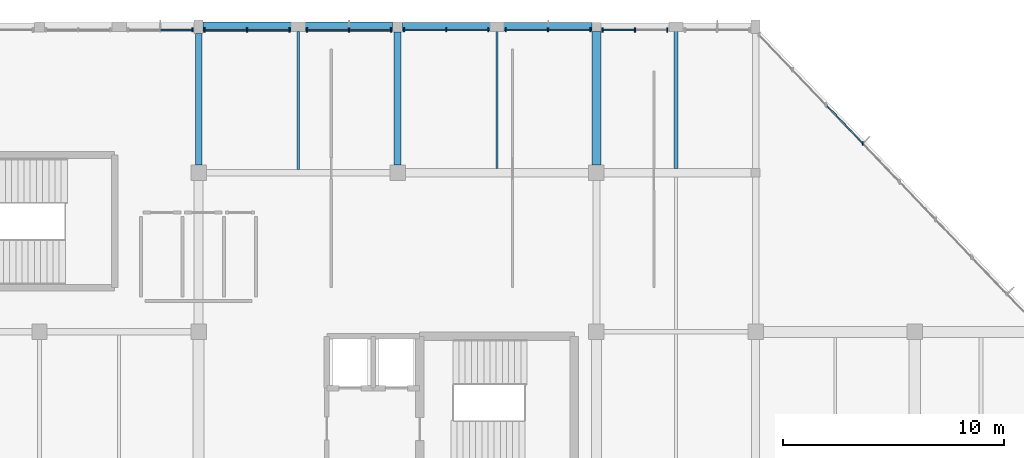
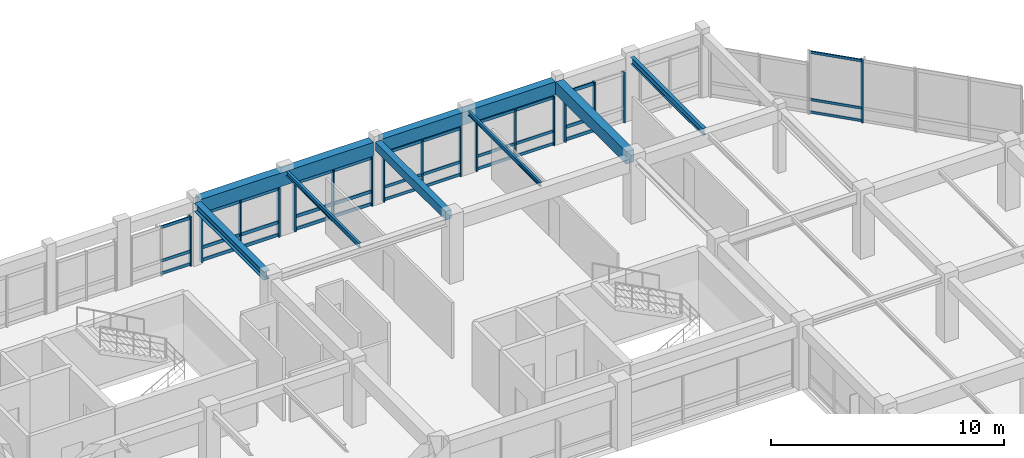
# One storey, part 30 of 52: 50 members, 8 beams, 7 elements without a shape of their own.
"""IFC4 building model written with IfcOpenShell, lengths in metres."""

from ifc_helpers import new_model, si_unit, direction, frame, origin, origin_2d, place, context, subcontext, project, spatial, rectangle, i_section, extrude, material, material_profile, profile_set, type_object, element, aggregate, save


model = new_model("IFC4")

# Units and contexts
model_context = context("Model", 3, precision=1e-05, world=origin(), true_north=direction((0.0, 1.0)))
body_context = subcontext(model_context, "Body", "Model", "MODEL_VIEW")
ifc_project = project(units=[si_unit("LENGTHUNIT", "METRE"), si_unit("AREAUNIT", "SQUARE_METRE"), si_unit("VOLUMEUNIT", "CUBIC_METRE"), si_unit("PLANEANGLEUNIT", "RADIAN"), si_unit("MASSUNIT", "GRAM", prefix="KILO")], contexts=[model_context])

# Site, building, storey
site_placement = place(None, origin())
site = spatial("IfcSite", under=ifc_project, at=site_placement, CompositionType="ELEMENT")
building_placement = place(site_placement, origin())
building = spatial("IfcBuilding", under=site, at=building_placement, Name="Clarverna Civic Hall", CompositionType="ELEMENT")
storey_placement = place(building_placement, frame((0.0, 0.0, 16.800048828125)))
storey = spatial("IfcBuildingStorey", under=building, at=storey_placement, Name="L04", CompositionType="ELEMENT", Elevation=16.800048828125)

# Beams
ifc_material_1 = material(Name="Concrete C35/45", Category="concrete")
ifc_material_profile_1 = material_profile(ifc_material_1, rectangle(XDim=0.300048828125, YDim=0.449951171875, at=origin_2d()), Name="RC 300x450")
ifc_profile_set_1 = profile_set([ifc_material_profile_1], Name="Concrete C35/45")
beam_type_1 = type_object("IfcBeamType", Name="B-RC18", PredefinedType="BEAM", material=ifc_profile_set_1)
beam_1_placement = place(storey_placement, frame((138.60009765625, 109.75, 3.094970703125), z_axis=(0.0, 1.0, 0.0), x_axis=(-1.0, 0.0, 0.0)))
element("IfcBeam", 1, at=beam_1_placement, inside=storey, type_object=beam_type_1, Name="B-RC18-043", PredefinedType="BEAM", context=body_context, shape_type="SweptSolid", body=[
    extrude(rectangle(XDim=0.300048828125, YDim=0.449951171875, at=origin_2d()), origin(), (0.0, 0.0, 1.0), 6.02490234375),
])
ifc_material_profile_2 = material_profile(ifc_material_1, rectangle(XDim=0.39990234375, YDim=0.64990234375, at=origin_2d()), Name="RC 400x650")
ifc_profile_set_2 = profile_set([ifc_material_profile_2], Name="Concrete C35/45")
beam_type_2 = type_object("IfcBeamType", Name="B-RC6", PredefinedType="BEAM", material=ifc_profile_set_2)
beam_2_placement = place(storey_placement, frame((147.60009765625, 109.75, 2.994873046875), z_axis=(0.0, 1.0, 0.0), x_axis=(-1.0, 0.0, 0.0)))
element("IfcBeam", 2, at=beam_2_placement, inside=storey, type_object=beam_type_2, Name="B-RC6-050", PredefinedType="BEAM", context=body_context, shape_type="SweptSolid", body=[
    extrude(rectangle(XDim=0.39990234375, YDim=0.64990234375, at=origin_2d()), origin(), (0.0, 0.0, 1.0), 6.050048828125),
])
ifc_material_profile_3 = material_profile(ifc_material_1, rectangle(XDim=0.419921875, YDim=0.719970703125, at=origin_2d()), Name="RC 420x720")
ifc_profile_set_3 = profile_set([ifc_material_profile_3], Name="Concrete C35/45")
beam_type_3 = type_object("IfcBeamType", Name="B-SP1", PredefinedType="SPANDREL", material=ifc_profile_set_3)
beam_3_placement = place(storey_placement, frame((129.800048828125, 116.0, 2.9599609375), z_axis=(1.0, 0.0, 0.0), x_axis=(0.0, 1.0, 0.0)))
element("IfcBeam", 3, at=beam_3_placement, inside=storey, type_object=beam_type_3, Name="B-SP1-134", PredefinedType="SPANDREL", context=body_context, shape_type="SweptSolid", body=[
    extrude(rectangle(XDim=0.419921875, YDim=0.719970703125, at=origin_2d()), origin(), (0.0, 0.0, 1.0), 8.574951171875),
])
ifc_material_profile_4 = material_profile(ifc_material_1, rectangle(XDim=0.3798828125, YDim=0.679931640625, at=origin_2d()), Name="RC 380x680")
ifc_profile_set_4 = profile_set([ifc_material_profile_4], Name="Concrete C35/45")
beam_type_4 = type_object("IfcBeamType", Name="B-SP2", PredefinedType="SPANDREL", material=ifc_profile_set_4)
beam_4_placement = place(storey_placement, frame((138.824951171875, 116.0, 2.97998046875), z_axis=(1.0, 0.0, 0.0), x_axis=(0.0, 1.0, 0.0)))
element("IfcBeam", 4, at=beam_4_placement, inside=storey, type_object=beam_type_4, Name="B-SP2-141", PredefinedType="SPANDREL", context=body_context, shape_type="SweptSolid", body=[
    extrude(rectangle(XDim=0.3798828125, YDim=0.679931640625, at=origin_2d()), origin(), (0.0, 0.0, 1.0), 8.574951171875),
])
ifc_material_2 = material(Name="Steel S355", Category="steel")
ifc_material_profile_5 = material_profile(ifc_material_2, i_section(OverallWidth=0.300048828125, OverallDepth=0.449951171875, WebThickness=0.013916015625, FlangeThickness=0.02587890625, FilletRadius=0.027099609375, at=origin_2d()), Name="HEB 450")
ifc_profile_set_5 = profile_set([ifc_material_profile_5], Name="Steel S355")
beam_type_5 = type_object("IfcBeamType", Name="B-ST3", PredefinedType="BEAM", material=ifc_profile_set_5)
beam_5_placement = place(storey_placement, frame((129.60009765625, 109.75, 3.094970703125), z_axis=(0.0, 1.0, 0.0), x_axis=(-1.0, 0.0, 0.0)))
element("IfcBeam", 5, at=beam_5_placement, inside=storey, type_object=beam_type_5, Name="B-ST3-022", PredefinedType="BEAM", context=body_context, shape_type="SweptSolid", body=[
    extrude(i_section(OverallWidth=0.300048828125, OverallDepth=0.449951171875, WebThickness=0.013916015625, FlangeThickness=0.02587890625, FilletRadius=0.027099609375, at=origin_2d()), origin(), (0.0, 0.0, 1.0), 5.949951171875),
])

# Curtain wall, member
ifc_material_3 = material(Name="Anodised Bronze Architectural Aluminium", Category="aluminium")
curtain_wall_type = type_object("IfcCurtainWallType", Name="CW-01", PredefinedType="USERDEFINED", material=ifc_material_3)
curtain_wall_1_placement = place(storey_placement, origin())
curtain_wall_1 = element("IfcCurtainWall", 6, at=curtain_wall_1_placement, inside=storey, type_object=curtain_wall_type, Name="CW-01-080", ObjectType="UNITISED CURTAIN WALL", PredefinedType="USERDEFINED")
ifc_material_profile_6 = material_profile(ifc_material_3, rectangle(XDim=0.06005859375, YDim=0.179931640625, at=origin_2d()), Name="BRONZE 60x180")
ifc_profile_set_6 = profile_set([ifc_material_profile_6], Name="Anodised Bronze Architectural Aluminium")
member_type_1 = type_object("IfcMemberType", Name="CWM-01", PredefinedType="MULLION", material=ifc_profile_set_6)
member_1_placement = place(storey_placement, frame((129.326904296875, 115.860107421875, 0.0), z_axis=(0.0, 0.0, 1.0), x_axis=(1.0, 0.0, 0.0)))
member_1 = element("IfcMember", 7, at=member_1_placement, type_object=member_type_1, Name="CWM-01-157", PredefinedType="MULLION", context=body_context, shape_type="SweptSolid", body=[
    extrude(rectangle(XDim=0.06005859375, YDim=0.179931640625, at=origin_2d()), origin(), (0.0, 0.0, 1.0), 2.599853515625),
])

# Curtain wall, members
curtain_wall_2_placement = place(storey_placement, origin())
curtain_wall_2 = element("IfcCurtainWall", 8, at=curtain_wall_2_placement, inside=storey, type_object=curtain_wall_type, Name="CW-01-083", ObjectType="UNITISED CURTAIN WALL", PredefinedType="USERDEFINED")
member_2_placement = place(storey_placement, frame((138.89794921875, 115.860107421875, 0.0), z_axis=(0.0, 0.0, 1.0), x_axis=(1.0, 0.0, 0.0)))
member_2 = element("IfcMember", 9, at=member_2_placement, type_object=member_type_1, Name="CWM-01-158", PredefinedType="MULLION", context=body_context, shape_type="SweptSolid", body=[
    extrude(rectangle(XDim=0.06005859375, YDim=0.179931640625, at=origin_2d()), origin(), (0.0, 0.0, 1.0), 2.599853515625),
])
member_3_placement = place(storey_placement, frame((140.800048828125, 115.860107421875, 0.0), z_axis=(0.0, 0.0, 1.0), x_axis=(1.0, 0.0, 0.0)))
member_3 = element("IfcMember", 10, at=member_3_placement, type_object=member_type_1, Name="CWM-01-159", PredefinedType="MULLION", context=body_context, shape_type="SweptSolid", body=[
    extrude(rectangle(XDim=0.06005859375, YDim=0.179931640625, at=origin_2d()), origin(), (0.0, 0.0, 1.0), 2.599853515625),
])
member_4_placement = place(storey_placement, frame((142.701904296875, 115.860107421875, 0.0), z_axis=(0.0, 0.0, 1.0), x_axis=(1.0, 0.0, 0.0)))
member_4 = element("IfcMember", 11, at=member_4_placement, type_object=member_type_1, Name="CWM-01-160", PredefinedType="MULLION", context=body_context, shape_type="SweptSolid", body=[
    extrude(rectangle(XDim=0.06005859375, YDim=0.179931640625, at=origin_2d()), origin(), (0.0, 0.0, 1.0), 2.599853515625),
])

curtain_wall_3_placement = place(storey_placement, origin())
curtain_wall_3 = element("IfcCurtainWall", 12, at=curtain_wall_3_placement, inside=storey, type_object=curtain_wall_type, Name="CW-01-084", ObjectType="UNITISED CURTAIN WALL", PredefinedType="USERDEFINED")
member_5_placement = place(storey_placement, frame((143.498046875, 115.860107421875, 0.0), z_axis=(0.0, 0.0, 1.0), x_axis=(1.0, 0.0, 0.0)))
member_5 = element("IfcMember", 13, at=member_5_placement, type_object=member_type_1, Name="CWM-01-161", PredefinedType="MULLION", context=body_context, shape_type="SweptSolid", body=[
    extrude(rectangle(XDim=0.06005859375, YDim=0.179931640625, at=origin_2d()), origin(), (0.0, 0.0, 1.0), 2.599853515625),
])
member_6_placement = place(storey_placement, frame((145.41259765625, 115.860107421875, 0.0), z_axis=(0.0, 0.0, 1.0), x_axis=(1.0, 0.0, 0.0)))
member_6 = element("IfcMember", 14, at=member_6_placement, type_object=member_type_1, Name="CWM-01-162", PredefinedType="MULLION", context=body_context, shape_type="SweptSolid", body=[
    extrude(rectangle(XDim=0.06005859375, YDim=0.179931640625, at=origin_2d()), origin(), (0.0, 0.0, 1.0), 2.599853515625),
])
member_7_placement = place(storey_placement, frame((147.326904296875, 115.860107421875, 0.0), z_axis=(0.0, 0.0, 1.0), x_axis=(1.0, 0.0, 0.0)))
member_7 = element("IfcMember", 15, at=member_7_placement, type_object=member_type_1, Name="CWM-01-163", PredefinedType="MULLION", context=body_context, shape_type="SweptSolid", body=[
    extrude(rectangle(XDim=0.06005859375, YDim=0.179931640625, at=origin_2d()), origin(), (0.0, 0.0, 1.0), 2.599853515625),
])

# Curtain wall, member
curtain_wall_4_placement = place(storey_placement, origin())
curtain_wall_4 = element("IfcCurtainWall", 16, at=curtain_wall_4_placement, inside=storey, type_object=curtain_wall_type, Name="CW-01-088", ObjectType="UNITISED CURTAIN WALL", PredefinedType="USERDEFINED")
ifc_material_profile_7 = material_profile(ifc_material_3, rectangle(XDim=0.06005859375, YDim=0.159912109375, at=origin_2d()), Name="BRONZE 60x160")
ifc_profile_set_7 = profile_set([ifc_material_profile_7], Name="Anodised Bronze Architectural Aluminium")
member_type_2 = type_object("IfcMemberType", Name="CWM-02", PredefinedType="MULLION", material=ifc_profile_set_7)
member_8_placement = place(storey_placement, frame((159.648681640625, 110.728271484375, 0.0), z_axis=(0.0, 0.0, 1.0), x_axis=(1.0, 0.0, 0.0)))
member_8 = element("IfcMember", 17, at=member_8_placement, type_object=member_type_2, Name="CWM-02-193", PredefinedType="MULLION", context=body_context, shape_type="SweptSolid", body=[
    extrude(rectangle(XDim=0.06005859375, YDim=0.159912109375, at=origin_2d()), origin(), (0.0, 0.0, 1.0), 3.320068359375),
])

# Curtain wall, members
curtain_wall_5_placement = place(storey_placement, origin())
curtain_wall_5 = element("IfcCurtainWall", 18, at=curtain_wall_5_placement, inside=storey, type_object=curtain_wall_type, Name="CW-01-081", ObjectType="UNITISED CURTAIN WALL", PredefinedType="USERDEFINED")
ifc_material_profile_8 = material_profile(ifc_material_3, rectangle(XDim=0.06494140625, YDim=0.199951171875, at=origin_2d()), Name="BRONZE 65x200")
ifc_profile_set_8 = profile_set([ifc_material_profile_8], Name="Anodised Bronze Architectural Aluminium")
member_type_3 = type_object("IfcMemberType", Name="CWM-03", PredefinedType="MULLION", material=ifc_profile_set_8)
member_9_placement = place(storey_placement, frame((129.873046875, 115.860107421875, 0.0), z_axis=(0.0, 0.0, 1.0), x_axis=(1.0, 0.0, 0.0)))
member_9 = element("IfcMember", 19, at=member_9_placement, type_object=member_type_3, Name="CWM-03-157", PredefinedType="MULLION", context=body_context, shape_type="SweptSolid", body=[
    extrude(rectangle(XDim=0.06494140625, YDim=0.199951171875, at=origin_2d()), origin(), (0.0, 0.0, 1.0), 2.599853515625),
])
member_10_placement = place(storey_placement, frame((131.78759765625, 115.860107421875, 0.0), z_axis=(0.0, 0.0, 1.0), x_axis=(1.0, 0.0, 0.0)))
member_10 = element("IfcMember", 20, at=member_10_placement, type_object=member_type_3, Name="CWM-03-158", PredefinedType="MULLION", context=body_context, shape_type="SweptSolid", body=[
    extrude(rectangle(XDim=0.06494140625, YDim=0.199951171875, at=origin_2d()), origin(), (0.0, 0.0, 1.0), 2.599853515625),
])
member_11_placement = place(storey_placement, frame((133.701904296875, 115.860107421875, 0.0), z_axis=(0.0, 0.0, 1.0), x_axis=(1.0, 0.0, 0.0)))
member_11 = element("IfcMember", 21, at=member_11_placement, type_object=member_type_3, Name="CWM-03-159", PredefinedType="MULLION", context=body_context, shape_type="SweptSolid", body=[
    extrude(rectangle(XDim=0.06494140625, YDim=0.199951171875, at=origin_2d()), origin(), (0.0, 0.0, 1.0), 2.599853515625),
])

curtain_wall_6_placement = place(storey_placement, origin())
curtain_wall_6 = element("IfcCurtainWall", 22, at=curtain_wall_6_placement, inside=storey, type_object=curtain_wall_type, Name="CW-01-082", ObjectType="UNITISED CURTAIN WALL", PredefinedType="USERDEFINED")
member_12_placement = place(storey_placement, frame((134.498046875, 115.860107421875, 0.0), z_axis=(0.0, 0.0, 1.0), x_axis=(1.0, 0.0, 0.0)))
member_12 = element("IfcMember", 23, at=member_12_placement, type_object=member_type_3, Name="CWM-03-160", PredefinedType="MULLION", context=body_context, shape_type="SweptSolid", body=[
    extrude(rectangle(XDim=0.06494140625, YDim=0.199951171875, at=origin_2d()), origin(), (0.0, 0.0, 1.0), 2.599853515625),
])
member_13_placement = place(storey_placement, frame((136.39990234375, 115.860107421875, 0.0), z_axis=(0.0, 0.0, 1.0), x_axis=(1.0, 0.0, 0.0)))
member_13 = element("IfcMember", 24, at=member_13_placement, type_object=member_type_3, Name="CWM-03-161", PredefinedType="MULLION", context=body_context, shape_type="SweptSolid", body=[
    extrude(rectangle(XDim=0.06494140625, YDim=0.199951171875, at=origin_2d()), origin(), (0.0, 0.0, 1.0), 2.599853515625),
])
member_14_placement = place(storey_placement, frame((138.302001953125, 115.860107421875, 0.0), z_axis=(0.0, 0.0, 1.0), x_axis=(1.0, 0.0, 0.0)))
member_14 = element("IfcMember", 25, at=member_14_placement, type_object=member_type_3, Name="CWM-03-162", PredefinedType="MULLION", context=body_context, shape_type="SweptSolid", body=[
    extrude(rectangle(XDim=0.06494140625, YDim=0.199951171875, at=origin_2d()), origin(), (0.0, 0.0, 1.0), 2.599853515625),
])

curtain_wall_7_placement = place(storey_placement, origin())
curtain_wall_7 = element("IfcCurtainWall", 26, at=curtain_wall_7_placement, inside=storey, type_object=curtain_wall_type, Name="CW-01-085", ObjectType="UNITISED CURTAIN WALL", PredefinedType="USERDEFINED")
member_15_placement = place(storey_placement, frame((147.873046875, 115.860107421875, 0.0), z_axis=(0.0, 0.0, 1.0), x_axis=(1.0, 0.0, 0.0)))
member_15 = element("IfcMember", 27, at=member_15_placement, type_object=member_type_3, Name="CWM-03-163", PredefinedType="MULLION", context=body_context, shape_type="SweptSolid", body=[
    extrude(rectangle(XDim=0.06494140625, YDim=0.199951171875, at=origin_2d()), origin(), (0.0, 0.0, 1.0), 2.639892578125),
])
member_16_placement = place(storey_placement, frame((149.33740234375, 115.860107421875, 0.0), z_axis=(0.0, 0.0, 1.0), x_axis=(1.0, 0.0, 0.0)))
member_16 = element("IfcMember", 28, at=member_16_placement, type_object=member_type_3, Name="CWM-03-164", PredefinedType="MULLION", context=body_context, shape_type="SweptSolid", body=[
    extrude(rectangle(XDim=0.06494140625, YDim=0.199951171875, at=origin_2d()), origin(), (0.0, 0.0, 1.0), 2.639892578125),
])
member_17_placement = place(storey_placement, frame((150.802001953125, 115.860107421875, 0.0), z_axis=(0.0, 0.0, 1.0), x_axis=(1.0, 0.0, 0.0)))
member_17 = element("IfcMember", 29, at=member_17_placement, type_object=member_type_3, Name="CWM-03-165", PredefinedType="MULLION", context=body_context, shape_type="SweptSolid", body=[
    extrude(rectangle(XDim=0.06494140625, YDim=0.199951171875, at=origin_2d()), origin(), (0.0, 0.0, 1.0), 2.639892578125),
])

# Member
ifc_material_profile_9 = material_profile(ifc_material_3, rectangle(XDim=0.06005859375, YDim=0.14990234375, at=origin_2d()), Name="BRONZE 60x150")
ifc_profile_set_9 = profile_set([ifc_material_profile_9], Name="Anodised Bronze Architectural Aluminium")
member_type_4 = type_object("IfcMemberType", Name="CWT-01", PredefinedType="USERDEFINED", material=ifc_profile_set_9)
member_18_placement = place(storey_placement, frame((127.87744140625, 115.860107421875, 0.094970703125), z_axis=(1.0, 0.0, 0.0), x_axis=(0.0, 1.0, 0.0)))
member_18 = element("IfcMember", 30, at=member_18_placement, type_object=member_type_4, Name="CWT-01-334", ObjectType="TRANSOM", PredefinedType="USERDEFINED", context=body_context, shape_type="SweptSolid", body=[
    extrude(rectangle(XDim=0.06005859375, YDim=0.14990234375, at=origin_2d()), origin(), (0.0, 0.0, 1.0), 1.4345703125),
])

member_19_placement = place(storey_placement, frame((127.87744140625, 115.860107421875, 0.75), z_axis=(1.0, 0.0, 0.0), x_axis=(0.0, 1.0, 0.0)))
member_19 = element("IfcMember", 31, at=member_19_placement, type_object=member_type_4, Name="CWT-01-335", ObjectType="TRANSOM", PredefinedType="USERDEFINED", context=body_context, shape_type="SweptSolid", body=[
    extrude(rectangle(XDim=0.06005859375, YDim=0.14990234375, at=origin_2d()), origin(), (0.0, 0.0, 1.0), 1.4345703125),
])

member_20_placement = place(storey_placement, frame((127.87744140625, 115.860107421875, 2.5048828125), z_axis=(1.0, 0.0, 0.0), x_axis=(0.0, 1.0, 0.0)))
member_20 = element("IfcMember", 32, at=member_20_placement, type_object=member_type_4, Name="CWT-01-336", ObjectType="TRANSOM", PredefinedType="USERDEFINED", context=body_context, shape_type="SweptSolid", body=[
    extrude(rectangle(XDim=0.06005859375, YDim=0.14990234375, at=origin_2d()), origin(), (0.0, 0.0, 1.0), 1.4345703125),
])

aggregate(curtain_wall_1, [member_1, member_18, member_19, member_20])

member_21_placement = place(storey_placement, frame((138.9130859375, 115.860107421875, 0.094970703125), z_axis=(1.0, 0.0, 0.0), x_axis=(0.0, 1.0, 0.0)))
member_21 = element("IfcMember", 33, at=member_21_placement, type_object=member_type_4, Name="CWT-01-337", ObjectType="TRANSOM", PredefinedType="USERDEFINED", context=body_context, shape_type="SweptSolid", body=[
    extrude(rectangle(XDim=0.06005859375, YDim=0.14990234375, at=origin_2d()), origin(), (0.0, 0.0, 1.0), 1.871826171875),
])

member_22_placement = place(storey_placement, frame((138.9130859375, 115.860107421875, 0.75), z_axis=(1.0, 0.0, 0.0), x_axis=(0.0, 1.0, 0.0)))
member_22 = element("IfcMember", 34, at=member_22_placement, type_object=member_type_4, Name="CWT-01-338", ObjectType="TRANSOM", PredefinedType="USERDEFINED", context=body_context, shape_type="SweptSolid", body=[
    extrude(rectangle(XDim=0.06005859375, YDim=0.14990234375, at=origin_2d()), origin(), (0.0, 0.0, 1.0), 1.871826171875),
])

member_23_placement = place(storey_placement, frame((138.9130859375, 115.860107421875, 2.5048828125), z_axis=(1.0, 0.0, 0.0), x_axis=(0.0, 1.0, 0.0)))
member_23 = element("IfcMember", 35, at=member_23_placement, type_object=member_type_4, Name="CWT-01-339", ObjectType="TRANSOM", PredefinedType="USERDEFINED", context=body_context, shape_type="SweptSolid", body=[
    extrude(rectangle(XDim=0.06005859375, YDim=0.14990234375, at=origin_2d()), origin(), (0.0, 0.0, 1.0), 1.871826171875),
])

member_24_placement = place(storey_placement, frame((140.81494140625, 115.860107421875, 0.094970703125), z_axis=(1.0, 0.0, 0.0), x_axis=(0.0, 1.0, 0.0)))
member_24 = element("IfcMember", 36, at=member_24_placement, type_object=member_type_4, Name="CWT-01-340", ObjectType="TRANSOM", PredefinedType="USERDEFINED", context=body_context, shape_type="SweptSolid", body=[
    extrude(rectangle(XDim=0.06005859375, YDim=0.14990234375, at=origin_2d()), origin(), (0.0, 0.0, 1.0), 1.8720703125),
])

member_25_placement = place(storey_placement, frame((140.81494140625, 115.860107421875, 0.75), z_axis=(1.0, 0.0, 0.0), x_axis=(0.0, 1.0, 0.0)))
member_25 = element("IfcMember", 37, at=member_25_placement, type_object=member_type_4, Name="CWT-01-341", ObjectType="TRANSOM", PredefinedType="USERDEFINED", context=body_context, shape_type="SweptSolid", body=[
    extrude(rectangle(XDim=0.06005859375, YDim=0.14990234375, at=origin_2d()), origin(), (0.0, 0.0, 1.0), 1.8720703125),
])

member_26_placement = place(storey_placement, frame((140.81494140625, 115.860107421875, 2.5048828125), z_axis=(1.0, 0.0, 0.0), x_axis=(0.0, 1.0, 0.0)))
member_26 = element("IfcMember", 38, at=member_26_placement, type_object=member_type_4, Name="CWT-01-342", ObjectType="TRANSOM", PredefinedType="USERDEFINED", context=body_context, shape_type="SweptSolid", body=[
    extrude(rectangle(XDim=0.06005859375, YDim=0.14990234375, at=origin_2d()), origin(), (0.0, 0.0, 1.0), 1.8720703125),
])

aggregate(curtain_wall_2, [member_2, member_3, member_4, member_21, member_22, member_23, member_24, member_25, member_26])

member_27_placement = place(storey_placement, frame((143.512939453125, 115.860107421875, 0.094970703125), z_axis=(1.0, 0.0, 0.0), x_axis=(0.0, 1.0, 0.0)))
member_27 = element("IfcMember", 39, at=member_27_placement, type_object=member_type_4, Name="CWT-01-343", ObjectType="TRANSOM", PredefinedType="USERDEFINED", context=body_context, shape_type="SweptSolid", body=[
    extrude(rectangle(XDim=0.06005859375, YDim=0.14990234375, at=origin_2d()), origin(), (0.0, 0.0, 1.0), 1.884521484375),
])

member_28_placement = place(storey_placement, frame((143.512939453125, 115.860107421875, 0.75), z_axis=(1.0, 0.0, 0.0), x_axis=(0.0, 1.0, 0.0)))
member_28 = element("IfcMember", 40, at=member_28_placement, type_object=member_type_4, Name="CWT-01-344", ObjectType="TRANSOM", PredefinedType="USERDEFINED", context=body_context, shape_type="SweptSolid", body=[
    extrude(rectangle(XDim=0.06005859375, YDim=0.14990234375, at=origin_2d()), origin(), (0.0, 0.0, 1.0), 1.884521484375),
])

member_29_placement = place(storey_placement, frame((143.512939453125, 115.860107421875, 2.5048828125), z_axis=(1.0, 0.0, 0.0), x_axis=(0.0, 1.0, 0.0)))
member_29 = element("IfcMember", 41, at=member_29_placement, type_object=member_type_4, Name="CWT-01-345", ObjectType="TRANSOM", PredefinedType="USERDEFINED", context=body_context, shape_type="SweptSolid", body=[
    extrude(rectangle(XDim=0.06005859375, YDim=0.14990234375, at=origin_2d()), origin(), (0.0, 0.0, 1.0), 1.884521484375),
])

member_30_placement = place(storey_placement, frame((145.427490234375, 115.860107421875, 0.094970703125), z_axis=(1.0, 0.0, 0.0), x_axis=(0.0, 1.0, 0.0)))
member_30 = element("IfcMember", 42, at=member_30_placement, type_object=member_type_4, Name="CWT-01-346", ObjectType="TRANSOM", PredefinedType="USERDEFINED", context=body_context, shape_type="SweptSolid", body=[
    extrude(rectangle(XDim=0.06005859375, YDim=0.14990234375, at=origin_2d()), origin(), (0.0, 0.0, 1.0), 1.884521484375),
])

member_31_placement = place(storey_placement, frame((145.427490234375, 115.860107421875, 0.75), z_axis=(1.0, 0.0, 0.0), x_axis=(0.0, 1.0, 0.0)))
member_31 = element("IfcMember", 43, at=member_31_placement, type_object=member_type_4, Name="CWT-01-347", ObjectType="TRANSOM", PredefinedType="USERDEFINED", context=body_context, shape_type="SweptSolid", body=[
    extrude(rectangle(XDim=0.06005859375, YDim=0.14990234375, at=origin_2d()), origin(), (0.0, 0.0, 1.0), 1.884521484375),
])

member_32_placement = place(storey_placement, frame((145.427490234375, 115.860107421875, 2.5048828125), z_axis=(1.0, 0.0, 0.0), x_axis=(0.0, 1.0, 0.0)))
member_32 = element("IfcMember", 44, at=member_32_placement, type_object=member_type_4, Name="CWT-01-348", ObjectType="TRANSOM", PredefinedType="USERDEFINED", context=body_context, shape_type="SweptSolid", body=[
    extrude(rectangle(XDim=0.06005859375, YDim=0.14990234375, at=origin_2d()), origin(), (0.0, 0.0, 1.0), 1.884521484375),
])

aggregate(curtain_wall_3, [member_5, member_6, member_7, member_27, member_28, member_29, member_30, member_31, member_32])

ifc_material_profile_10 = material_profile(ifc_material_3, rectangle(XDim=0.06005859375, YDim=0.1298828125, at=origin_2d()), Name="BRONZE 60x130")
ifc_profile_set_10 = profile_set([ifc_material_profile_10], Name="Anodised Bronze Architectural Aluminium")
member_type_5 = type_object("IfcMemberType", Name="CWT-02", PredefinedType="USERDEFINED", material=ifc_profile_set_10)
member_33_placement = place(storey_placement, frame((158.031982421875, 112.418701171875, 0.094970703125), z_axis=(0.691174945329, -0.722687480831, 0.0), x_axis=(0.722687480831, 0.691174945329, 0.0)))
member_33 = element("IfcMember", 45, at=member_33_placement, type_object=member_type_5, Name="CWT-02-406", ObjectType="TRANSOM", PredefinedType="USERDEFINED", context=body_context, shape_type="SweptSolid", body=[
    extrude(rectangle(XDim=0.06005859375, YDim=0.1298828125, at=origin_2d()), origin(), (0.0, 0.0, 1.0), 2.32421875),
])

member_34_placement = place(storey_placement, frame((158.031982421875, 112.418701171875, 0.75), z_axis=(0.691174945329, -0.722687480831, 0.0), x_axis=(0.722687480831, 0.691174945329, 0.0)))
member_34 = element("IfcMember", 46, at=member_34_placement, type_object=member_type_5, Name="CWT-02-407", ObjectType="TRANSOM", PredefinedType="USERDEFINED", context=body_context, shape_type="SweptSolid", body=[
    extrude(rectangle(XDim=0.06005859375, YDim=0.1298828125, at=origin_2d()), origin(), (0.0, 0.0, 1.0), 2.32421875),
])

member_35_placement = place(storey_placement, frame((158.031982421875, 112.418701171875, 3.224853515625), z_axis=(0.691174945329, -0.722687480831, 0.0), x_axis=(0.722687480831, 0.691174945329, 0.0)))
member_35 = element("IfcMember", 47, at=member_35_placement, type_object=member_type_5, Name="CWT-02-408", ObjectType="TRANSOM", PredefinedType="USERDEFINED", context=body_context, shape_type="SweptSolid", body=[
    extrude(rectangle(XDim=0.06005859375, YDim=0.1298828125, at=origin_2d()), origin(), (0.0, 0.0, 1.0), 2.32421875),
])

aggregate(curtain_wall_4, [member_8, member_33, member_34, member_35])

ifc_material_profile_11 = material_profile(ifc_material_3, rectangle(XDim=0.06494140625, YDim=0.169921875, at=origin_2d()), Name="BRONZE 65x170")
ifc_profile_set_11 = profile_set([ifc_material_profile_11], Name="Anodised Bronze Architectural Aluminium")
member_type_6 = type_object("IfcMemberType", Name="CWT-03", PredefinedType="USERDEFINED", material=ifc_profile_set_11)
member_36_placement = place(storey_placement, frame((129.887939453125, 115.860107421875, 0.094970703125), z_axis=(1.0, 0.0, 0.0), x_axis=(0.0, 1.0, 0.0)))
member_36 = element("IfcMember", 48, at=member_36_placement, type_object=member_type_6, Name="CWT-03-334", ObjectType="TRANSOM", PredefinedType="USERDEFINED", context=body_context, shape_type="SweptSolid", body=[
    extrude(rectangle(XDim=0.06494140625, YDim=0.169921875, at=origin_2d()), origin(), (0.0, 0.0, 1.0), 1.884521484375),
])

member_37_placement = place(storey_placement, frame((129.887939453125, 115.860107421875, 0.75), z_axis=(1.0, 0.0, 0.0), x_axis=(0.0, 1.0, 0.0)))
member_37 = element("IfcMember", 49, at=member_37_placement, type_object=member_type_6, Name="CWT-03-335", ObjectType="TRANSOM", PredefinedType="USERDEFINED", context=body_context, shape_type="SweptSolid", body=[
    extrude(rectangle(XDim=0.06494140625, YDim=0.169921875, at=origin_2d()), origin(), (0.0, 0.0, 1.0), 1.884521484375),
])

member_38_placement = place(storey_placement, frame((129.887939453125, 115.860107421875, 2.5048828125), z_axis=(1.0, 0.0, 0.0), x_axis=(0.0, 1.0, 0.0)))
member_38 = element("IfcMember", 50, at=member_38_placement, type_object=member_type_6, Name="CWT-03-336", ObjectType="TRANSOM", PredefinedType="USERDEFINED", context=body_context, shape_type="SweptSolid", body=[
    extrude(rectangle(XDim=0.06494140625, YDim=0.169921875, at=origin_2d()), origin(), (0.0, 0.0, 1.0), 1.884521484375),
])

member_39_placement = place(storey_placement, frame((131.802490234375, 115.860107421875, 0.094970703125), z_axis=(1.0, 0.0, 0.0), x_axis=(0.0, 1.0, 0.0)))
member_39 = element("IfcMember", 51, at=member_39_placement, type_object=member_type_6, Name="CWT-03-337", ObjectType="TRANSOM", PredefinedType="USERDEFINED", context=body_context, shape_type="SweptSolid", body=[
    extrude(rectangle(XDim=0.06494140625, YDim=0.169921875, at=origin_2d()), origin(), (0.0, 0.0, 1.0), 1.884521484375),
])

member_40_placement = place(storey_placement, frame((131.802490234375, 115.860107421875, 0.75), z_axis=(1.0, 0.0, 0.0), x_axis=(0.0, 1.0, 0.0)))
member_40 = element("IfcMember", 52, at=member_40_placement, type_object=member_type_6, Name="CWT-03-338", ObjectType="TRANSOM", PredefinedType="USERDEFINED", context=body_context, shape_type="SweptSolid", body=[
    extrude(rectangle(XDim=0.06494140625, YDim=0.169921875, at=origin_2d()), origin(), (0.0, 0.0, 1.0), 1.884521484375),
])

member_41_placement = place(storey_placement, frame((131.802490234375, 115.860107421875, 2.5048828125), z_axis=(1.0, 0.0, 0.0), x_axis=(0.0, 1.0, 0.0)))
member_41 = element("IfcMember", 53, at=member_41_placement, type_object=member_type_6, Name="CWT-03-339", ObjectType="TRANSOM", PredefinedType="USERDEFINED", context=body_context, shape_type="SweptSolid", body=[
    extrude(rectangle(XDim=0.06494140625, YDim=0.169921875, at=origin_2d()), origin(), (0.0, 0.0, 1.0), 1.884521484375),
])

aggregate(curtain_wall_5, [member_9, member_10, member_11, member_36, member_37, member_38, member_39, member_40, member_41])

member_42_placement = place(storey_placement, frame((134.512939453125, 115.860107421875, 0.094970703125), z_axis=(1.0, 0.0, 0.0), x_axis=(0.0, 1.0, 0.0)))
member_42 = element("IfcMember", 54, at=member_42_placement, type_object=member_type_6, Name="CWT-03-340", ObjectType="TRANSOM", PredefinedType="USERDEFINED", context=body_context, shape_type="SweptSolid", body=[
    extrude(rectangle(XDim=0.06494140625, YDim=0.169921875, at=origin_2d()), origin(), (0.0, 0.0, 1.0), 1.8720703125),
])

member_43_placement = place(storey_placement, frame((134.512939453125, 115.860107421875, 0.75), z_axis=(1.0, 0.0, 0.0), x_axis=(0.0, 1.0, 0.0)))
member_43 = element("IfcMember", 55, at=member_43_placement, type_object=member_type_6, Name="CWT-03-341", ObjectType="TRANSOM", PredefinedType="USERDEFINED", context=body_context, shape_type="SweptSolid", body=[
    extrude(rectangle(XDim=0.06494140625, YDim=0.169921875, at=origin_2d()), origin(), (0.0, 0.0, 1.0), 1.8720703125),
])

member_44_placement = place(storey_placement, frame((134.512939453125, 115.860107421875, 2.5048828125), z_axis=(1.0, 0.0, 0.0), x_axis=(0.0, 1.0, 0.0)))
member_44 = element("IfcMember", 56, at=member_44_placement, type_object=member_type_6, Name="CWT-03-342", ObjectType="TRANSOM", PredefinedType="USERDEFINED", context=body_context, shape_type="SweptSolid", body=[
    extrude(rectangle(XDim=0.06494140625, YDim=0.169921875, at=origin_2d()), origin(), (0.0, 0.0, 1.0), 1.8720703125),
])

member_45_placement = place(storey_placement, frame((136.4150390625, 115.860107421875, 0.094970703125), z_axis=(1.0, 0.0, 0.0), x_axis=(0.0, 1.0, 0.0)))
member_45 = element("IfcMember", 57, at=member_45_placement, type_object=member_type_6, Name="CWT-03-343", ObjectType="TRANSOM", PredefinedType="USERDEFINED", context=body_context, shape_type="SweptSolid", body=[
    extrude(rectangle(XDim=0.06494140625, YDim=0.169921875, at=origin_2d()), origin(), (0.0, 0.0, 1.0), 1.8720703125),
])

member_46_placement = place(storey_placement, frame((136.4150390625, 115.860107421875, 0.75), z_axis=(1.0, 0.0, 0.0), x_axis=(0.0, 1.0, 0.0)))
member_46 = element("IfcMember", 58, at=member_46_placement, type_object=member_type_6, Name="CWT-03-344", ObjectType="TRANSOM", PredefinedType="USERDEFINED", context=body_context, shape_type="SweptSolid", body=[
    extrude(rectangle(XDim=0.06494140625, YDim=0.169921875, at=origin_2d()), origin(), (0.0, 0.0, 1.0), 1.8720703125),
])

member_47_placement = place(storey_placement, frame((136.4150390625, 115.860107421875, 2.5048828125), z_axis=(1.0, 0.0, 0.0), x_axis=(0.0, 1.0, 0.0)))
member_47 = element("IfcMember", 59, at=member_47_placement, type_object=member_type_6, Name="CWT-03-345", ObjectType="TRANSOM", PredefinedType="USERDEFINED", context=body_context, shape_type="SweptSolid", body=[
    extrude(rectangle(XDim=0.06494140625, YDim=0.169921875, at=origin_2d()), origin(), (0.0, 0.0, 1.0), 1.8720703125),
])

aggregate(curtain_wall_6, [member_12, member_13, member_14, member_42, member_43, member_44, member_45, member_46, member_47])

member_48_placement = place(storey_placement, frame((147.887939453125, 115.860107421875, 0.094970703125), z_axis=(1.0, 0.0, 0.0), x_axis=(0.0, 1.0, 0.0)))
member_48 = element("IfcMember", 60, at=member_48_placement, type_object=member_type_6, Name="CWT-03-346", ObjectType="TRANSOM", PredefinedType="USERDEFINED", context=body_context, shape_type="SweptSolid", body=[
    extrude(rectangle(XDim=0.06494140625, YDim=0.169921875, at=origin_2d()), origin(), (0.0, 0.0, 1.0), 1.4345703125),
])

member_49_placement = place(storey_placement, frame((147.887939453125, 115.860107421875, 0.75), z_axis=(1.0, 0.0, 0.0), x_axis=(0.0, 1.0, 0.0)))
member_49 = element("IfcMember", 61, at=member_49_placement, type_object=member_type_6, Name="CWT-03-347", ObjectType="TRANSOM", PredefinedType="USERDEFINED", context=body_context, shape_type="SweptSolid", body=[
    extrude(rectangle(XDim=0.06494140625, YDim=0.169921875, at=origin_2d()), origin(), (0.0, 0.0, 1.0), 1.4345703125),
])

member_50_placement = place(storey_placement, frame((147.887939453125, 115.860107421875, 2.544921875), z_axis=(1.0, 0.0, 0.0), x_axis=(0.0, 1.0, 0.0)))
member_50 = element("IfcMember", 62, at=member_50_placement, type_object=member_type_6, Name="CWT-03-348", ObjectType="TRANSOM", PredefinedType="USERDEFINED", context=body_context, shape_type="SweptSolid", body=[
    extrude(rectangle(XDim=0.06494140625, YDim=0.169921875, at=origin_2d()), origin(), (0.0, 0.0, 1.0), 1.4345703125),
])

aggregate(curtain_wall_7, [member_15, member_16, member_17, member_48, member_49, member_50])

# Beams
ifc_material_profile_12 = material_profile(ifc_material_2, i_section(OverallWidth=0.169921875, OverallDepth=0.360107421875, WebThickness=0.008056640625, FlangeThickness=0.0126953125, FilletRadius=0.01806640625, at=origin_2d()), Name="IPE 360")
ifc_profile_set_12 = profile_set([ifc_material_profile_12], Name="Steel S355")
beam_type_6 = type_object("IfcBeamType", Name="J-ST1", PredefinedType="JOIST", material=ifc_profile_set_12)
beam_6_placement = place(storey_placement, frame((151.199951171875, 109.60009765625, 3.139892578125), z_axis=(0.0, 1.0, 0.0), x_axis=(-1.0, 0.0, 0.0)))
element("IfcBeam", 63, at=beam_6_placement, inside=storey, type_object=beam_type_6, Name="J-ST1-070", PredefinedType="JOIST", context=body_context, shape_type="SweptSolid", body=[
    extrude(i_section(OverallWidth=0.169921875, OverallDepth=0.360107421875, WebThickness=0.008056640625, FlangeThickness=0.0126953125, FilletRadius=0.01806640625, at=origin_2d()), origin(), (0.0, 0.0, 1.0), 6.219970703125),
])
ifc_material_profile_13 = material_profile(ifc_material_2, i_section(OverallWidth=0.1201171875, OverallDepth=0.239990234375, WebThickness=0.006103515625, FlangeThickness=0.009765625, FilletRadius=0.014892578125, at=origin_2d()), Name="IPE 240")
ifc_profile_set_13 = profile_set([ifc_material_profile_13], Name="Steel S355")
beam_type_7 = type_object("IfcBeamType", Name="J-ST5", PredefinedType="JOIST", material=ifc_profile_set_13)
beam_7_placement = place(storey_placement, frame((134.10009765625, 109.550048828125, 3.199951171875), z_axis=(0.0, 1.0, 0.0), x_axis=(-1.0, 0.0, 0.0)))
element("IfcBeam", 64, at=beam_7_placement, inside=storey, type_object=beam_type_7, Name="J-ST5-070", PredefinedType="JOIST", context=body_context, shape_type="SweptSolid", body=[
    extrude(i_section(OverallWidth=0.1201171875, OverallDepth=0.239990234375, WebThickness=0.006103515625, FlangeThickness=0.009765625, FilletRadius=0.014892578125, at=origin_2d()), origin(), (0.0, 0.0, 1.0), 6.239990234375),
])
ifc_material_profile_14 = material_profile(ifc_material_2, i_section(OverallWidth=0.110107421875, OverallDepth=0.219970703125, WebThickness=0.005859375, FlangeThickness=0.00927734375, FilletRadius=0.011962890625, at=origin_2d()), Name="IPE 220")
ifc_profile_set_14 = profile_set([ifc_material_profile_14], Name="Steel S355")
beam_type_8 = type_object("IfcBeamType", Name="J-ST6", PredefinedType="JOIST", material=ifc_profile_set_14)
beam_8_placement = place(storey_placement, frame((143.10009765625, 109.60009765625, 3.2099609375), z_axis=(0.0, 1.0, 0.0), x_axis=(-1.0, 0.0, 0.0)))
element("IfcBeam", 65, at=beam_8_placement, inside=storey, type_object=beam_type_8, Name="J-ST6-070", PredefinedType="JOIST", context=body_context, shape_type="SweptSolid", body=[
    extrude(i_section(OverallWidth=0.110107421875, OverallDepth=0.219970703125, WebThickness=0.005859375, FlangeThickness=0.00927734375, FilletRadius=0.011962890625, at=origin_2d()), origin(), (0.0, 0.0, 1.0), 6.2099609375),
])

save(model, "model.ifc")
